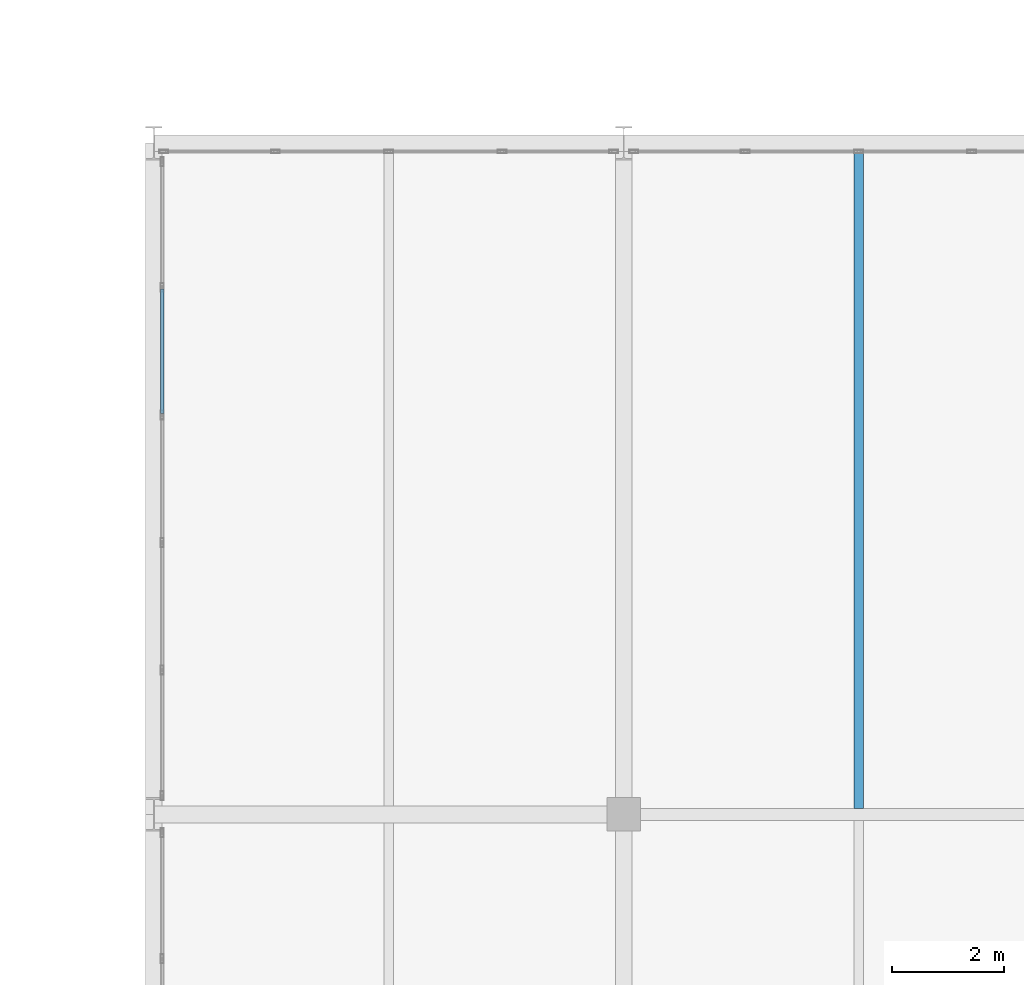
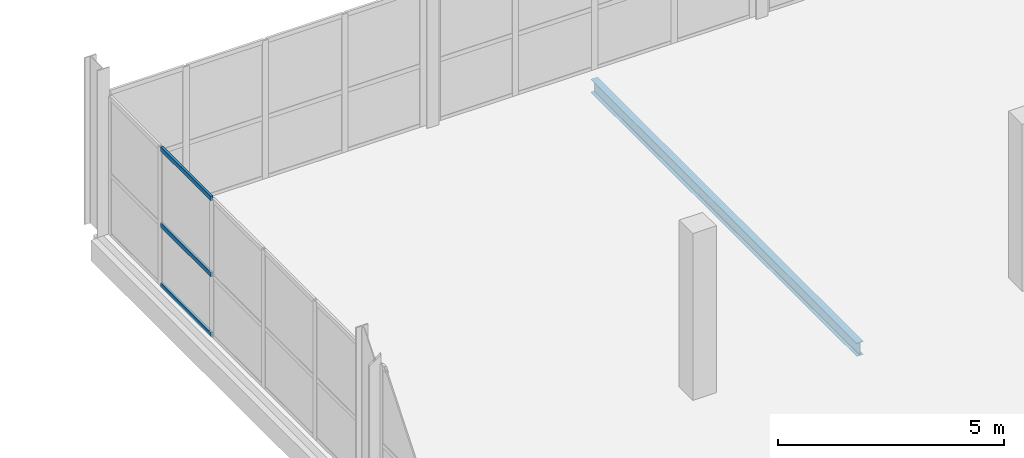
# One storey, part 98 of 130: 3 members, 1 beam, 1 element without a shape of its own.
"""IFC4 building model written with IfcOpenShell, lengths in metres."""

from ifc_helpers import new_model, si_unit, direction, frame, origin, origin_2d, place, context, subcontext, project, spatial, hollow_rectangle, i_section, extrude, material, material_profile, profile_set, type_object, element, aggregate, save


model = new_model("IFC4")

# Units and contexts
model_context = context("Model", 3, precision=1e-05, world=origin(), true_north=direction((0.0, 1.0)))
body_context = subcontext(model_context, "Body", "Model", "MODEL_VIEW")
ifc_project = project(units=[si_unit("LENGTHUNIT", "METRE"), si_unit("AREAUNIT", "SQUARE_METRE"), si_unit("VOLUMEUNIT", "CUBIC_METRE"), si_unit("PLANEANGLEUNIT", "RADIAN"), si_unit("MASSUNIT", "GRAM", prefix="KILO")], contexts=[model_context])

# Site, building, storey
site_placement = place(None, origin())
site = spatial("IfcSite", under=ifc_project, at=site_placement, CompositionType="ELEMENT")
building_placement = place(site_placement, origin())
building = spatial("IfcBuilding", under=site, at=building_placement, Name="Veltarok Museum of Natural Sciences", CompositionType="ELEMENT")
storey_placement = place(building_placement, frame((0.0, 0.0, 12.89990234375)))
storey = spatial("IfcBuildingStorey", under=building, at=storey_placement, Name="L02", CompositionType="ELEMENT", Elevation=12.89990234375)

# Curtain wall, members
ifc_material_1 = material(Name="Low-iron triple insulated glass", Category="glass")
curtain_wall_type = type_object("IfcCurtainWallType", Name="Curtain Wall System CW-V5CW-L02-3-1140x373 (CW-V5CW L02 1140x373cm)", PredefinedType="NOTDEFINED", material=ifc_material_1)
curtain_wall_placement = place(storey_placement, origin())
curtain_wall = element("IfcCurtainWall", 1, at=curtain_wall_placement, inside=storey, type_object=curtain_wall_type, Name="Curtain Wall CW-V5CW-L02-3-1140x373 CW-0179", PredefinedType="NOTDEFINED")
ifc_material_2 = material(Name="Thermally broken anodised aluminium", Category="aluminium")
ifc_material_profile_1 = material_profile(ifc_material_2, hollow_rectangle(XDim=0.06005859375, YDim=0.1201171875, WallThickness=0.0048828125, at=origin_2d()), Name="CW TRANSOM 60x120x5")
ifc_profile_set_1 = profile_set([ifc_material_profile_1], Name="Thermally broken anodised aluminium")
member_type = type_object("IfcMemberType", Name="Curtain Wall Horizontal Transom 60x120x5", PredefinedType="USERDEFINED", material=ifc_profile_set_1)
member_1_placement = place(storey_placement, frame((132.550048828125, 67.169921875, 0.028076171875), z_axis=(0.0, 1.0, 0.0), x_axis=(-1.0, 0.0, 0.0)))
member_1 = element("IfcMember", 2, at=member_1_placement, type_object=member_type, Name="CW-V5CW-L02-3-1140x373 transom 4.1", ObjectType="TRANSOM", PredefinedType="USERDEFINED", context=body_context, shape_type="SweptSolid", body=[
    extrude(hollow_rectangle(XDim=0.06005859375, YDim=0.1201171875, WallThickness=0.0048828125, at=origin_2d()), origin(), (0.0, 0.0, 1.0), 2.219970703125),
])
member_2_placement = place(storey_placement, frame((132.550048828125, 67.169921875, 1.648193359375), z_axis=(0.0, 1.0, 0.0), x_axis=(-1.0, 0.0, 0.0)))
member_2 = element("IfcMember", 3, at=member_2_placement, type_object=member_type, Name="CW-V5CW-L02-3-1140x373 transom 4.2", ObjectType="TRANSOM", PredefinedType="USERDEFINED", context=body_context, shape_type="SweptSolid", body=[
    extrude(hollow_rectangle(XDim=0.06005859375, YDim=0.1201171875, WallThickness=0.0048828125, at=origin_2d()), origin(), (0.0, 0.0, 1.0), 2.219970703125),
])
member_3_placement = place(storey_placement, frame((132.550048828125, 67.169921875, 3.7001953125), z_axis=(0.0, 1.0, 0.0), x_axis=(-1.0, 0.0, 0.0)))
member_3 = element("IfcMember", 4, at=member_3_placement, type_object=member_type, Name="CW-V5CW-L02-3-1140x373 transom 4.3", ObjectType="TRANSOM", PredefinedType="USERDEFINED", context=body_context, shape_type="SweptSolid", body=[
    extrude(hollow_rectangle(XDim=0.06005859375, YDim=0.1201171875, WallThickness=0.0048828125, at=origin_2d()), origin(), (0.0, 0.0, 1.0), 2.219970703125),
])
aggregate(curtain_wall, [member_1, member_2, member_3])

# Beam
ifc_material_3 = material(Name="Steel S355J2", Category="steel")
ifc_material_profile_2 = material_profile(ifc_material_3, i_section(OverallWidth=0.169921875, OverallDepth=0.360107421875, WebThickness=0.008056640625, FlangeThickness=0.0126953125, FilletRadius=0.01806640625, at=origin_2d()), Name="IPE 360")
ifc_profile_set_2 = profile_set([ifc_material_profile_2], Name="Steel S355J2")
beam_type = type_object("IfcBeamType", Name="Long-Bay Composite Joist IPE 360", PredefinedType="JOIST", material=ifc_profile_set_2)
beam_placement = place(storey_placement, frame((145.0, 60.10302734375, -0.429931640625), z_axis=(0.0, 1.0, 0.0), x_axis=(-1.0, 0.0, 0.0)))
element("IfcBeam", 5, at=beam_placement, inside=storey, type_object=beam_type, Name="Secondary Joist BM-J01 L02 17-18/G-H.1", PredefinedType="JOIST", context=body_context, shape_type="SweptSolid", body=[
    extrude(i_section(OverallWidth=0.169921875, OverallDepth=0.360107421875, WebThickness=0.008056640625, FlangeThickness=0.0126953125, FilletRadius=0.01806640625, at=origin_2d()), origin(), (0.0, 0.0, 1.0), 11.7490234375),
])

save(model, "model.ifc")
